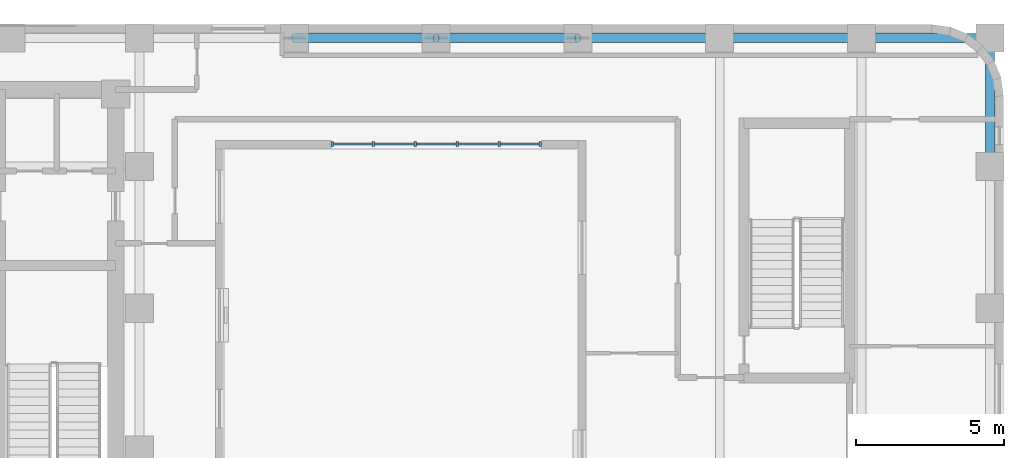
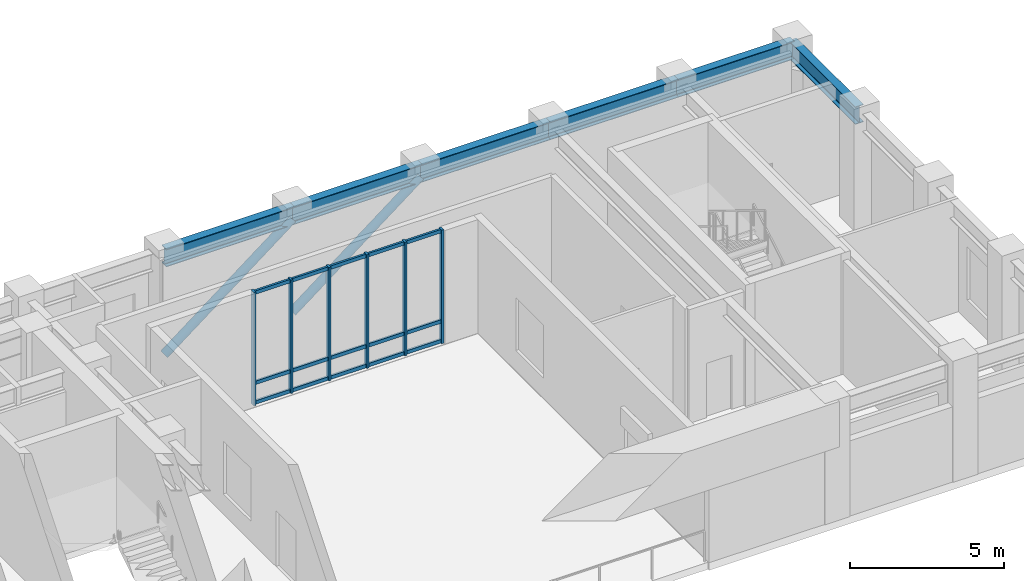
# One storey, part 4 of 12: 23 members, 6 beams, 1 element without a shape of its own.
"""IFC4 building model written with IfcOpenShell, lengths in metres."""

from ifc_helpers import new_model, si_unit, direction, frame, origin, origin_2d, place, context, subcontext, project, spatial, rectangle, hollow_circle, i_section, extrude, material, material_profile, profile_set, type_object, element, aggregate, save


model = new_model("IFC4")

# Units and contexts
model_context = context("Model", 3, precision=1e-05, world=origin(), true_north=direction((0.0, 1.0)))
body_context = subcontext(model_context, "Body", "Model", "MODEL_VIEW")
ifc_project = project(units=[si_unit("LENGTHUNIT", "METRE"), si_unit("AREAUNIT", "SQUARE_METRE"), si_unit("VOLUMEUNIT", "CUBIC_METRE"), si_unit("PLANEANGLEUNIT", "RADIAN"), si_unit("MASSUNIT", "GRAM", prefix="KILO")], contexts=[model_context])

# Site, building, storey
site_placement = place(None, origin())
site = spatial("IfcSite", under=ifc_project, at=site_placement, CompositionType="ELEMENT")
building_placement = place(site_placement, origin())
building = spatial("IfcBuilding", under=site, at=building_placement, Name="Orvandelia Arch Residences", CompositionType="ELEMENT")
storey_placement = place(building_placement, frame((0.0, 0.0, 193.60009765625)))
storey = spatial("IfcBuildingStorey", under=building, at=storey_placement, Name="L51", CompositionType="ELEMENT", Elevation=193.60009765625)

# Beams
ifc_material_1 = material(Name="Structural Steel SM355 (355 MPa)", Category="steel")
ifc_material_profile_1 = material_profile(ifc_material_1, i_section(OverallWidth=0.300048828125, OverallDepth=0.699951171875, WebThickness=0.012939453125, FlangeThickness=0.02392578125, FilletRadius=0.02392578125, at=origin_2d()), Name="Structural Steel SM355 (355 MPa)", Category="steel")
ifc_profile_set_1 = profile_set([ifc_material_profile_1], Name="Structural Steel SM355 (355 MPa)")
beam_type = type_object("IfcBeamType", Name="BM-GRD-H700", PredefinedType="BEAM", material=ifc_profile_set_1)
beam_1_placement = place(storey_placement, frame((52.35009765625, 43.199951171875, 4.14990234375), z_axis=(0.0, 1.0, 0.0), x_axis=(-1.0, 0.0, 0.0)))
element("IfcBeam", 1, at=beam_1_placement, inside=storey, type_object=beam_type, Name="Structural Frame Beam L51-NS-021", PredefinedType="BEAM", context=body_context, shape_type="SweptSolid", body=[
    extrude(i_section(OverallWidth=0.300048828125, OverallDepth=0.699951171875, WebThickness=0.012939453125, FlangeThickness=0.02392578125, FilletRadius=0.02392578125, at=origin_2d()), origin(), (0.0, 0.0, 1.0), 4.35009765625),
])
beam_2_placement = place(storey_placement, frame((28.800048828125, 47.550048828125, 4.14990234375), z_axis=(1.0, 0.0, 0.0), x_axis=(0.0, 1.0, 0.0)))
element("IfcBeam", 2, at=beam_2_placement, inside=storey, type_object=beam_type, Name="Structural Frame Girder L51-EW-039", PredefinedType="BEAM", context=body_context, shape_type="SweptSolid", body=[
    extrude(i_section(OverallWidth=0.300048828125, OverallDepth=0.699951171875, WebThickness=0.012939453125, FlangeThickness=0.02392578125, FilletRadius=0.02392578125, at=origin_2d()), origin(), (0.0, 0.0, 1.0), 4.800048828125),
])
beam_3_placement = place(storey_placement, frame((33.60009765625, 47.550048828125, 4.14990234375), z_axis=(1.0, 0.0, 0.0), x_axis=(0.0, 1.0, 0.0)))
element("IfcBeam", 3, at=beam_3_placement, inside=storey, type_object=beam_type, Name="Structural Frame Girder L51-EW-040", PredefinedType="BEAM", context=body_context, shape_type="SweptSolid", body=[
    extrude(i_section(OverallWidth=0.300048828125, OverallDepth=0.699951171875, WebThickness=0.012939453125, FlangeThickness=0.02392578125, FilletRadius=0.02392578125, at=origin_2d()), origin(), (0.0, 0.0, 1.0), 4.7998046875),
])
for number, where, z_axis, x_axis, name in (
    (4, (38.39990234375, 47.550048828125, 4.14990234375), (1.0, 0.0, 0.0), (0.0, 1.0, 0.0), "Structural Frame Girder L51-EW-041"),
    (5, (43.199951171875, 47.550048828125, 4.14990234375), (1.0, 0.0, 0.0), (0.0, 1.0, 0.0), "Structural Frame Girder L51-EW-042"),
):
    element("IfcBeam", number, at=place(storey_placement, frame(where, z_axis=z_axis, x_axis=x_axis)), inside=storey, type_object=beam_type, Name=name, PredefinedType="BEAM", context=body_context, shape_type="SweptSolid", body=[
        extrude(i_section(OverallWidth=0.300048828125, OverallDepth=0.699951171875, WebThickness=0.012939453125, FlangeThickness=0.02392578125, FilletRadius=0.02392578125, at=origin_2d()), origin(), (0.0, 0.0, 1.0), 4.800048828125),
    ])
beam_4_placement = place(storey_placement, frame((48.0, 47.550048828125, 4.14990234375), z_axis=(1.0, 0.0, 0.0), x_axis=(0.0, 1.0, 0.0)))
element("IfcBeam", 6, at=beam_4_placement, inside=storey, type_object=beam_type, Name="Structural Frame Girder L51-EW-043", PredefinedType="BEAM", context=body_context, shape_type="SweptSolid", body=[
    extrude(i_section(OverallWidth=0.300048828125, OverallDepth=0.699951171875, WebThickness=0.012939453125, FlangeThickness=0.02392578125, FilletRadius=0.02392578125, at=origin_2d()), origin(), (0.0, 0.0, 1.0), 4.35009765625),
])

# Curtain wall, members
ifc_material_2 = material(Name="Anodised Bronze Curtain Wall Assembly")
curtain_wall_type = type_object("IfcCurtainWallType", Name="CW-SYS3-SKY", PredefinedType="NOTDEFINED", material=ifc_material_2)
curtain_wall_placement = place(storey_placement, origin())
curtain_wall = element("IfcCurtainWall", 7, at=curtain_wall_placement, inside=storey, type_object=curtain_wall_type, Name="Sky Garden Bridge Curtain Wall L51 5", PredefinedType="NOTDEFINED")
ifc_material_3 = material(Name="Anodised Aluminium Alloy 6063-T6", Category="aluminium")
ifc_material_profile_2 = material_profile(ifc_material_3, rectangle(XDim=0.080078125, YDim=0.179931640625, at=origin_2d()), Name="Anodised Aluminium Alloy 6063-T6", Category="aluminium")
ifc_profile_set_2 = profile_set([ifc_material_profile_2], Name="Anodised Aluminium Alloy 6063-T6")
member_type_1 = type_object("IfcMemberType", Name="CW-MULLION-80x160", PredefinedType="MULLION", material=ifc_profile_set_2)
member_1_placement = place(storey_placement, frame((30.080078125, 43.9599609375, 0.0), z_axis=(0.0, 0.0, 1.0), x_axis=(1.0, 0.0, 0.0)))
member_1 = element("IfcMember", 8, at=member_1_placement, type_object=member_type_1, Name="Curtain Wall Mullion CW-L51-5-M1", PredefinedType="MULLION", context=body_context, shape_type="SweptSolid", body=[
    extrude(rectangle(XDim=0.080078125, YDim=0.179931640625, at=origin_2d()), origin(), (0.0, 0.0, 1.0), 4.5),
])
member_2_placement = place(storey_placement, frame((31.464111328125, 43.9599609375, 0.0), z_axis=(0.0, 0.0, 1.0), x_axis=(1.0, 0.0, 0.0)))
member_2 = element("IfcMember", 9, at=member_2_placement, type_object=member_type_1, Name="Curtain Wall Mullion CW-L51-5-M2", PredefinedType="MULLION", context=body_context, shape_type="SweptSolid", body=[
    extrude(rectangle(XDim=0.080078125, YDim=0.179931640625, at=origin_2d()), origin(), (0.0, 0.0, 1.0), 4.5),
])
member_3_placement = place(storey_placement, frame((32.887939453125, 43.9599609375, 0.0), z_axis=(0.0, 0.0, 1.0), x_axis=(1.0, 0.0, 0.0)))
member_3 = element("IfcMember", 10, at=member_3_placement, type_object=member_type_1, Name="Curtain Wall Mullion CW-L51-5-M3", PredefinedType="MULLION", context=body_context, shape_type="SweptSolid", body=[
    extrude(rectangle(XDim=0.080078125, YDim=0.179931640625, at=origin_2d()), origin(), (0.0, 0.0, 1.0), 4.5),
])
member_4_placement = place(storey_placement, frame((34.31201171875, 43.9599609375, 0.0), z_axis=(0.0, 0.0, 1.0), x_axis=(1.0, 0.0, 0.0)))
member_4 = element("IfcMember", 11, at=member_4_placement, type_object=member_type_1, Name="Curtain Wall Mullion CW-L51-5-M4", PredefinedType="MULLION", context=body_context, shape_type="SweptSolid", body=[
    extrude(rectangle(XDim=0.080078125, YDim=0.179931640625, at=origin_2d()), origin(), (0.0, 0.0, 1.0), 4.5),
])
member_5_placement = place(storey_placement, frame((35.736083984375, 43.9599609375, 0.0), z_axis=(0.0, 0.0, 1.0), x_axis=(1.0, 0.0, 0.0)))
member_5 = element("IfcMember", 12, at=member_5_placement, type_object=member_type_1, Name="Curtain Wall Mullion CW-L51-5-M5", PredefinedType="MULLION", context=body_context, shape_type="SweptSolid", body=[
    extrude(rectangle(XDim=0.080078125, YDim=0.179931640625, at=origin_2d()), origin(), (0.0, 0.0, 1.0), 4.5),
])
member_6_placement = place(storey_placement, frame((37.1201171875, 43.9599609375, 0.0), z_axis=(0.0, 0.0, 1.0), x_axis=(1.0, 0.0, 0.0)))
member_6 = element("IfcMember", 13, at=member_6_placement, type_object=member_type_1, Name="Curtain Wall Mullion CW-L51-5-M6", PredefinedType="MULLION", context=body_context, shape_type="SweptSolid", body=[
    extrude(rectangle(XDim=0.080078125, YDim=0.179931640625, at=origin_2d()), origin(), (0.0, 0.0, 1.0), 4.5),
])
ifc_material_profile_3 = material_profile(ifc_material_3, rectangle(XDim=0.080078125, YDim=0.139892578125, at=origin_2d()), Name="Anodised Aluminium Alloy 6063-T6", Category="aluminium")
ifc_profile_set_3 = profile_set([ifc_material_profile_3], Name="Anodised Aluminium Alloy 6063-T6")
member_type_2 = type_object("IfcMemberType", Name="CW-TRANSOM-80x140", PredefinedType="USERDEFINED", material=ifc_profile_set_3)
member_7_placement = place(storey_placement, frame((30.10498046875, 43.9599609375, 0.06982421875), z_axis=(1.0, 0.0, 0.0), x_axis=(0.0, 1.0, 0.0)))
member_7 = element("IfcMember", 14, at=member_7_placement, type_object=member_type_2, Name="Curtain Wall Transom CW-L51-5-T1-1", ObjectType="TRANSOM", PredefinedType="USERDEFINED", context=body_context, shape_type="SweptSolid", body=[
    extrude(rectangle(XDim=0.080078125, YDim=0.139892578125, at=origin_2d()), origin(), (0.0, 0.0, 1.0), 1.333984375),
])
member_8_placement = place(storey_placement, frame((30.10498046875, 43.9599609375, 0.849853515625), z_axis=(1.0, 0.0, 0.0), x_axis=(0.0, 1.0, 0.0)))
member_8 = element("IfcMember", 15, at=member_8_placement, type_object=member_type_2, Name="Curtain Wall Transom CW-L51-5-T1-2", ObjectType="TRANSOM", PredefinedType="USERDEFINED", context=body_context, shape_type="SweptSolid", body=[
    extrude(rectangle(XDim=0.080078125, YDim=0.139892578125, at=origin_2d()), origin(), (0.0, 0.0, 1.0), 1.333984375),
])
member_9_placement = place(storey_placement, frame((30.10498046875, 43.9599609375, 4.429931640625), z_axis=(1.0, 0.0, 0.0), x_axis=(0.0, 1.0, 0.0)))
member_9 = element("IfcMember", 16, at=member_9_placement, type_object=member_type_2, Name="Curtain Wall Transom CW-L51-5-T1-3", ObjectType="TRANSOM", PredefinedType="USERDEFINED", context=body_context, shape_type="SweptSolid", body=[
    extrude(rectangle(XDim=0.080078125, YDim=0.139892578125, at=origin_2d()), origin(), (0.0, 0.0, 1.0), 1.333984375),
])
member_10_placement = place(storey_placement, frame((31.489013671875, 43.9599609375, 0.06982421875), z_axis=(1.0, 0.0, 0.0), x_axis=(0.0, 1.0, 0.0)))
member_10 = element("IfcMember", 17, at=member_10_placement, type_object=member_type_2, Name="Curtain Wall Transom CW-L51-5-T2-1", ObjectType="TRANSOM", PredefinedType="USERDEFINED", context=body_context, shape_type="SweptSolid", body=[
    extrude(rectangle(XDim=0.080078125, YDim=0.139892578125, at=origin_2d()), origin(), (0.0, 0.0, 1.0), 1.3740234375),
])
member_11_placement = place(storey_placement, frame((31.489013671875, 43.9599609375, 0.849853515625), z_axis=(1.0, 0.0, 0.0), x_axis=(0.0, 1.0, 0.0)))
member_11 = element("IfcMember", 18, at=member_11_placement, type_object=member_type_2, Name="Curtain Wall Transom CW-L51-5-T2-2", ObjectType="TRANSOM", PredefinedType="USERDEFINED", context=body_context, shape_type="SweptSolid", body=[
    extrude(rectangle(XDim=0.080078125, YDim=0.139892578125, at=origin_2d()), origin(), (0.0, 0.0, 1.0), 1.3740234375),
])
member_12_placement = place(storey_placement, frame((31.489013671875, 43.9599609375, 4.429931640625), z_axis=(1.0, 0.0, 0.0), x_axis=(0.0, 1.0, 0.0)))
member_12 = element("IfcMember", 19, at=member_12_placement, type_object=member_type_2, Name="Curtain Wall Transom CW-L51-5-T2-3", ObjectType="TRANSOM", PredefinedType="USERDEFINED", context=body_context, shape_type="SweptSolid", body=[
    extrude(rectangle(XDim=0.080078125, YDim=0.139892578125, at=origin_2d()), origin(), (0.0, 0.0, 1.0), 1.3740234375),
])
member_13_placement = place(storey_placement, frame((32.9130859375, 43.9599609375, 0.06982421875), z_axis=(1.0, 0.0, 0.0), x_axis=(0.0, 1.0, 0.0)))
member_13 = element("IfcMember", 20, at=member_13_placement, type_object=member_type_2, Name="Curtain Wall Transom CW-L51-5-T3-1", ObjectType="TRANSOM", PredefinedType="USERDEFINED", context=body_context, shape_type="SweptSolid", body=[
    extrude(rectangle(XDim=0.080078125, YDim=0.139892578125, at=origin_2d()), origin(), (0.0, 0.0, 1.0), 1.3740234375),
])
member_14_placement = place(storey_placement, frame((32.9130859375, 43.9599609375, 0.849853515625), z_axis=(1.0, 0.0, 0.0), x_axis=(0.0, 1.0, 0.0)))
member_14 = element("IfcMember", 21, at=member_14_placement, type_object=member_type_2, Name="Curtain Wall Transom CW-L51-5-T3-2", ObjectType="TRANSOM", PredefinedType="USERDEFINED", context=body_context, shape_type="SweptSolid", body=[
    extrude(rectangle(XDim=0.080078125, YDim=0.139892578125, at=origin_2d()), origin(), (0.0, 0.0, 1.0), 1.3740234375),
])
member_15_placement = place(storey_placement, frame((32.9130859375, 43.9599609375, 4.429931640625), z_axis=(1.0, 0.0, 0.0), x_axis=(0.0, 1.0, 0.0)))
member_15 = element("IfcMember", 22, at=member_15_placement, type_object=member_type_2, Name="Curtain Wall Transom CW-L51-5-T3-3", ObjectType="TRANSOM", PredefinedType="USERDEFINED", context=body_context, shape_type="SweptSolid", body=[
    extrude(rectangle(XDim=0.080078125, YDim=0.139892578125, at=origin_2d()), origin(), (0.0, 0.0, 1.0), 1.3740234375),
])
member_16_placement = place(storey_placement, frame((34.3369140625, 43.9599609375, 0.06982421875), z_axis=(1.0, 0.0, 0.0), x_axis=(0.0, 1.0, 0.0)))
member_16 = element("IfcMember", 23, at=member_16_placement, type_object=member_type_2, Name="Curtain Wall Transom CW-L51-5-T4-1", ObjectType="TRANSOM", PredefinedType="USERDEFINED", context=body_context, shape_type="SweptSolid", body=[
    extrude(rectangle(XDim=0.080078125, YDim=0.139892578125, at=origin_2d()), origin(), (0.0, 0.0, 1.0), 1.3740234375),
])
member_17_placement = place(storey_placement, frame((34.3369140625, 43.9599609375, 0.849853515625), z_axis=(1.0, 0.0, 0.0), x_axis=(0.0, 1.0, 0.0)))
member_17 = element("IfcMember", 24, at=member_17_placement, type_object=member_type_2, Name="Curtain Wall Transom CW-L51-5-T4-2", ObjectType="TRANSOM", PredefinedType="USERDEFINED", context=body_context, shape_type="SweptSolid", body=[
    extrude(rectangle(XDim=0.080078125, YDim=0.139892578125, at=origin_2d()), origin(), (0.0, 0.0, 1.0), 1.3740234375),
])
member_18_placement = place(storey_placement, frame((34.3369140625, 43.9599609375, 4.429931640625), z_axis=(1.0, 0.0, 0.0), x_axis=(0.0, 1.0, 0.0)))
member_18 = element("IfcMember", 25, at=member_18_placement, type_object=member_type_2, Name="Curtain Wall Transom CW-L51-5-T4-3", ObjectType="TRANSOM", PredefinedType="USERDEFINED", context=body_context, shape_type="SweptSolid", body=[
    extrude(rectangle(XDim=0.080078125, YDim=0.139892578125, at=origin_2d()), origin(), (0.0, 0.0, 1.0), 1.3740234375),
])
member_19_placement = place(storey_placement, frame((35.760986328125, 43.9599609375, 0.06982421875), z_axis=(1.0, 0.0, 0.0), x_axis=(0.0, 1.0, 0.0)))
member_19 = element("IfcMember", 26, at=member_19_placement, type_object=member_type_2, Name="Curtain Wall Transom CW-L51-5-T5-1", ObjectType="TRANSOM", PredefinedType="USERDEFINED", context=body_context, shape_type="SweptSolid", body=[
    extrude(rectangle(XDim=0.080078125, YDim=0.139892578125, at=origin_2d()), origin(), (0.0, 0.0, 1.0), 1.333984375),
])
member_20_placement = place(storey_placement, frame((35.760986328125, 43.9599609375, 0.849853515625), z_axis=(1.0, 0.0, 0.0), x_axis=(0.0, 1.0, 0.0)))
member_20 = element("IfcMember", 27, at=member_20_placement, type_object=member_type_2, Name="Curtain Wall Transom CW-L51-5-T5-2", ObjectType="TRANSOM", PredefinedType="USERDEFINED", context=body_context, shape_type="SweptSolid", body=[
    extrude(rectangle(XDim=0.080078125, YDim=0.139892578125, at=origin_2d()), origin(), (0.0, 0.0, 1.0), 1.333984375),
])
member_21_placement = place(storey_placement, frame((35.760986328125, 43.9599609375, 4.429931640625), z_axis=(1.0, 0.0, 0.0), x_axis=(0.0, 1.0, 0.0)))
member_21 = element("IfcMember", 28, at=member_21_placement, type_object=member_type_2, Name="Curtain Wall Transom CW-L51-5-T5-3", ObjectType="TRANSOM", PredefinedType="USERDEFINED", context=body_context, shape_type="SweptSolid", body=[
    extrude(rectangle(XDim=0.080078125, YDim=0.139892578125, at=origin_2d()), origin(), (0.0, 0.0, 1.0), 1.333984375),
])
aggregate(curtain_wall, [member_1, member_2, member_3, member_4, member_5, member_6, member_7, member_8, member_9, member_10, member_11, member_12, member_13, member_14, member_15, member_16, member_17, member_18, member_19, member_20, member_21])

# Members
ifc_material_4 = material(Name="Structural Steel HSA650 (650 MPa)", Category="steel")
ifc_material_profile_4 = material_profile(ifc_material_4, hollow_circle(Radius=0.1591796875, WallThickness=0.011962890625, at=origin_2d()), Name="Structural Steel HSA650 (650 MPa)", Category="steel")
ifc_profile_set_4 = profile_set([ifc_material_profile_4], Name="Structural Steel HSA650 (650 MPa)")
member_type_3 = type_object("IfcMemberType", Name="MBR-PORTAL-DIAG", PredefinedType="BRACE", material=ifc_profile_set_4)
member_22_placement = place(storey_placement, frame((28.800048828125, 47.550048828125, 0.25), z_axis=(0.79201709571, 0.0, 0.610498910812), x_axis=(0.0, 1.0, 0.0)))
element("IfcMember", 29, at=member_22_placement, inside=storey, type_object=member_type_3, Name="Void-Portal Bridge Truss Diagonal PTD1", PredefinedType="BRACE", context=body_context, shape_type="SweptSolid", body=[
    extrude(hollow_circle(Radius=0.1591796875, WallThickness=0.011962890625, at=origin_2d()), origin(), (0.0, 0.0, 1.0), 6.060546875),
])
member_23_placement = place(storey_placement, frame((33.60009765625, 47.550048828125, 0.25), z_axis=(0.792002080911, 0.0, 0.610518389431), x_axis=(0.0, 1.0, 0.0)))
element("IfcMember", 30, at=member_23_placement, inside=storey, type_object=member_type_3, Name="Void-Portal Bridge Truss Diagonal PTD1", PredefinedType="BRACE", context=body_context, shape_type="SweptSolid", body=[
    extrude(hollow_circle(Radius=0.1591796875, WallThickness=0.011962890625, at=origin_2d()), origin(), (0.0, 0.0, 1.0), 6.060302734375),
])

save(model, "model.ifc")
